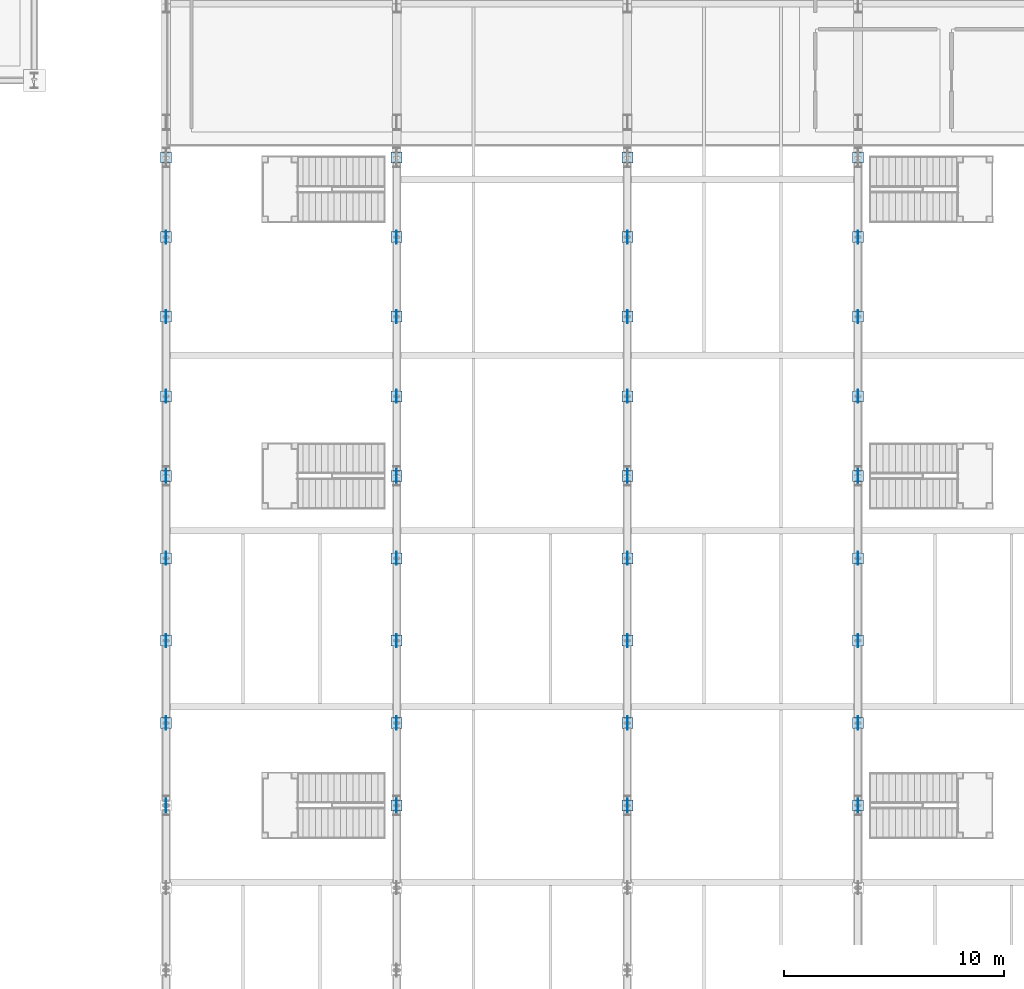
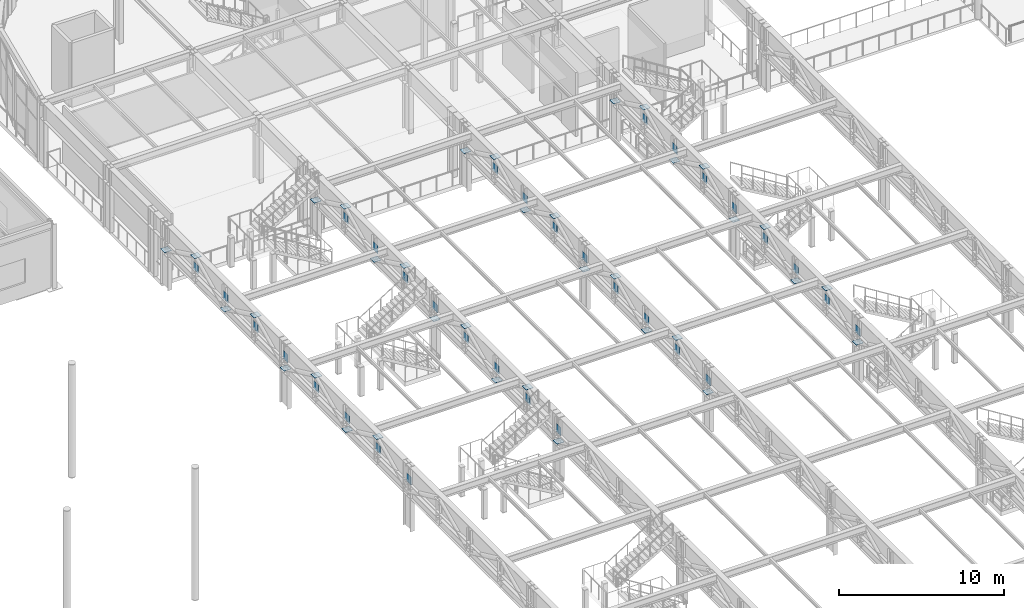
# One storey, part 79 of 143: 67 plates.
"""IFC4 building model written with IfcOpenShell, lengths in metres."""

from ifc_helpers import new_model, si_unit, direction, frame, origin, origin_2d, place, context, subcontext, project, spatial, rectangle, extrude, material, layer, layer_set, type_object, element, save


model = new_model("IFC4")

# Units and contexts
model_context = context("Model", 3, precision=1e-05, world=origin(), true_north=direction((0.0, 1.0)))
body_context = subcontext(model_context, "Body", "Model", "MODEL_VIEW")
ifc_project = project(units=[si_unit("LENGTHUNIT", "METRE"), si_unit("AREAUNIT", "SQUARE_METRE"), si_unit("VOLUMEUNIT", "CUBIC_METRE"), si_unit("PLANEANGLEUNIT", "RADIAN"), si_unit("MASSUNIT", "GRAM", prefix="KILO")], contexts=[model_context])

# Site, building, storey
site_placement = place(None, origin())
site = spatial("IfcSite", under=ifc_project, at=site_placement, CompositionType="ELEMENT")
building_placement = place(site_placement, origin())
building = spatial("IfcBuilding", under=site, at=building_placement, Name="Marlcrest Central Station", CompositionType="ELEMENT")
storey_placement = place(building_placement, frame((0.0, 0.0, 4.800048828125)))
storey = spatial("IfcBuildingStorey", under=building, at=storey_placement, Name="L01", CompositionType="ELEMENT", Elevation=4.800048828125)

# Plates
ifc_material = material(Name="Steel S355", Category="steel")
ifc_layer_1 = layer(ifc_material, 0.02392578125, Name="GP-01")
ifc_layer_set_1 = layer_set([ifc_layer_1], Name="Steel S355")
plate_type_1 = type_object("IfcPlateType", Name="GP-01", PredefinedType="USERDEFINED", material=ifc_layer_set_1)
for number, where, z_axis, x_axis, name in (
    (1, (87.0, 66.0, 3.31982421875), (0.0, 0.0, 1.0), (1.0, 0.0, 0.0), "plt-truss-01067"),
    (2, (87.0, 69.75, 3.31982421875), (0.0, 0.0, 1.0), (1.0, 0.0, 0.0), "plt-truss-01069"),
    (3, (87.0, 73.5, 3.31982421875), (0.0, 0.0, 1.0), (1.0, 0.0, 0.0), "plt-truss-01071"),
    (4, (87.0, 77.25, 3.31982421875), (0.0, 0.0, 1.0), (1.0, 0.0, 0.0), "plt-truss-01073"),
    (5, (87.0, 81.0, 3.31982421875), (0.0, 0.0, 1.0), (1.0, 0.0, 0.0), "plt-truss-01075"),
    (6, (87.0, 84.625, 3.31982421875), (0.0, 0.0, 1.0), (1.0, 0.0, 0.0), "plt-truss-01077"),
    (7, (87.0, 88.25, 3.31982421875), (0.0, 0.0, 1.0), (1.0, 0.0, 0.0), "plt-truss-01079"),
    (8, (87.0, 91.875, 3.31982421875), (0.0, 0.0, 1.0), (1.0, 0.0, 0.0), "plt-truss-01081"),
    (9, (97.5, 66.0, 3.31982421875), (0.0, 0.0, 1.0), (1.0, 0.0, 0.0), "plt-truss-01100"),
    (10, (97.5, 69.75, 3.31982421875), (0.0, 0.0, 1.0), (1.0, 0.0, 0.0), "plt-truss-01102"),
    (11, (97.5, 73.5, 3.31982421875), (0.0, 0.0, 1.0), (1.0, 0.0, 0.0), "plt-truss-01104"),
    (12, (97.5, 77.25, 3.31982421875), (0.0, 0.0, 1.0), (1.0, 0.0, 0.0), "plt-truss-01106"),
    (13, (97.5, 81.0, 3.31982421875), (0.0, 0.0, 1.0), (1.0, 0.0, 0.0), "plt-truss-01108"),
    (14, (97.5, 84.625, 3.31982421875), (0.0, 0.0, 1.0), (1.0, 0.0, 0.0), "plt-truss-01110"),
    (15, (97.5, 88.25, 3.31982421875), (0.0, 0.0, 1.0), (1.0, 0.0, 0.0), "plt-truss-01112"),
    (16, (97.5, 91.875, 3.31982421875), (0.0, 0.0, 1.0), (1.0, 0.0, 0.0), "plt-truss-01114"),
    (17, (108.0, 66.0, 3.31982421875), (0.0, 0.0, 1.0), (1.0, 0.0, 0.0), "plt-truss-01133"),
    (18, (108.0, 69.75, 3.31982421875), (0.0, 0.0, 1.0), (1.0, 0.0, 0.0), "plt-truss-01135"),
    (19, (108.0, 73.5, 3.31982421875), (0.0, 0.0, 1.0), (1.0, 0.0, 0.0), "plt-truss-01137"),
    (20, (108.0, 77.25, 3.31982421875), (0.0, 0.0, 1.0), (1.0, 0.0, 0.0), "plt-truss-01139"),
    (21, (108.0, 81.0, 3.31982421875), (0.0, 0.0, 1.0), (1.0, 0.0, 0.0), "plt-truss-01141"),
    (22, (108.0, 84.625, 3.31982421875), (0.0, 0.0, 1.0), (1.0, 0.0, 0.0), "plt-truss-01143"),
    (23, (108.0, 88.25, 3.31982421875), (0.0, 0.0, 1.0), (1.0, 0.0, 0.0), "plt-truss-01145"),
    (24, (108.0, 91.875, 3.31982421875), (0.0, 0.0, 1.0), (1.0, 0.0, 0.0), "plt-truss-01147"),
    (25, (118.5, 66.0, 3.31982421875), (0.0, 0.0, 1.0), (1.0, 0.0, 0.0), "plt-truss-01166"),
    (26, (118.5, 69.75, 3.31982421875), (0.0, 0.0, 1.0), (1.0, 0.0, 0.0), "plt-truss-01168"),
    (27, (118.5, 73.5, 3.31982421875), (0.0, 0.0, 1.0), (1.0, 0.0, 0.0), "plt-truss-01170"),
    (28, (118.5, 77.25, 3.31982421875), (0.0, 0.0, 1.0), (1.0, 0.0, 0.0), "plt-truss-01172"),
    (29, (118.5, 81.0, 3.31982421875), (0.0, 0.0, 1.0), (1.0, 0.0, 0.0), "plt-truss-01174"),
    (30, (118.5, 84.625, 3.31982421875), (0.0, 0.0, 1.0), (1.0, 0.0, 0.0), "plt-truss-01176"),
    (31, (118.5, 88.25, 3.31982421875), (0.0, 0.0, 1.0), (1.0, 0.0, 0.0), "plt-truss-01178"),
    (32, (118.5, 91.875, 3.31982421875), (0.0, 0.0, 1.0), (1.0, 0.0, 0.0), "plt-truss-01180"),
):
    element("IfcPlate", number, at=place(storey_placement, frame(where, z_axis=z_axis, x_axis=x_axis)), inside=storey, type_object=plate_type_1, Name=name, ObjectType="GUSSET_PLATE", PredefinedType="USERDEFINED", context=body_context, shape_type="SweptSolid", body=[
        extrude(rectangle(XDim=0.02392578125, YDim=0.60009765625, at=origin_2d()), origin(), (0.0, 0.0, 1.0), 0.60009765625),
    ])
ifc_layer_2 = layer(ifc_material, 0.02001953125, Name="GP-03")
ifc_layer_set_2 = layer_set([ifc_layer_2], Name="Steel S355")
plate_type_2 = type_object("IfcPlateType", Name="GP-03", PredefinedType="USERDEFINED", material=ifc_layer_set_2)
for number, where, z_axis, x_axis, name in (
    (33, (87.0, 69.75, 4.48486328125), (0.0, 0.0, 1.0), (1.0, 0.0, 0.0), "plt-cap-01066"),
    (34, (87.0, 73.5, 2.73486328125), (0.0, 0.0, 1.0), (1.0, 0.0, 0.0), "plt-cap-01068"),
    (35, (87.0, 77.25, 4.48486328125), (0.0, 0.0, 1.0), (1.0, 0.0, 0.0), "plt-cap-01070"),
    (36, (87.0, 81.0, 2.73486328125), (0.0, 0.0, 1.0), (1.0, 0.0, 0.0), "plt-cap-01072"),
    (37, (87.0, 84.625, 4.48486328125), (0.0, 0.0, 1.0), (1.0, 0.0, 0.0), "plt-cap-01074"),
    (38, (87.0, 88.25, 2.73486328125), (0.0, 0.0, 1.0), (1.0, 0.0, 0.0), "plt-cap-01076"),
    (39, (87.0, 91.875, 4.48486328125), (0.0, 0.0, 1.0), (1.0, 0.0, 0.0), "plt-cap-01078"),
    (40, (87.0, 95.5, 2.73486328125), (0.0, 0.0, 1.0), (1.0, 0.0, 0.0), "plt-cap-01080"),
    (41, (97.5, 66.0, 2.73486328125), (0.0, 0.0, 1.0), (1.0, 0.0, 0.0), "plt-cap-01097"),
    (42, (97.5, 69.75, 4.48486328125), (0.0, 0.0, 1.0), (1.0, 0.0, 0.0), "plt-cap-01099"),
    (43, (97.5, 73.5, 2.73486328125), (0.0, 0.0, 1.0), (1.0, 0.0, 0.0), "plt-cap-01101"),
    (44, (97.5, 77.25, 4.48486328125), (0.0, 0.0, 1.0), (1.0, 0.0, 0.0), "plt-cap-01103"),
    (45, (97.5, 81.0, 2.73486328125), (0.0, 0.0, 1.0), (1.0, 0.0, 0.0), "plt-cap-01105"),
    (46, (97.5, 84.625, 4.48486328125), (0.0, 0.0, 1.0), (1.0, 0.0, 0.0), "plt-cap-01107"),
    (47, (97.5, 88.25, 2.73486328125), (0.0, 0.0, 1.0), (1.0, 0.0, 0.0), "plt-cap-01109"),
    (48, (97.5, 91.875, 4.48486328125), (0.0, 0.0, 1.0), (1.0, 0.0, 0.0), "plt-cap-01111"),
    (49, (97.5, 95.5, 2.73486328125), (0.0, 0.0, 1.0), (1.0, 0.0, 0.0), "plt-cap-01113"),
    (50, (108.0, 66.0, 2.73486328125), (0.0, 0.0, 1.0), (1.0, 0.0, 0.0), "plt-cap-01130"),
    (51, (108.0, 69.75, 4.48486328125), (0.0, 0.0, 1.0), (1.0, 0.0, 0.0), "plt-cap-01132"),
    (52, (108.0, 73.5, 2.73486328125), (0.0, 0.0, 1.0), (1.0, 0.0, 0.0), "plt-cap-01134"),
    (53, (108.0, 77.25, 4.48486328125), (0.0, 0.0, 1.0), (1.0, 0.0, 0.0), "plt-cap-01136"),
    (54, (108.0, 81.0, 2.73486328125), (0.0, 0.0, 1.0), (1.0, 0.0, 0.0), "plt-cap-01138"),
    (55, (108.0, 84.625, 4.48486328125), (0.0, 0.0, 1.0), (1.0, 0.0, 0.0), "plt-cap-01140"),
    (56, (108.0, 88.25, 2.73486328125), (0.0, 0.0, 1.0), (1.0, 0.0, 0.0), "plt-cap-01142"),
    (57, (108.0, 91.875, 4.48486328125), (0.0, 0.0, 1.0), (1.0, 0.0, 0.0), "plt-cap-01144"),
    (58, (108.0, 95.5, 2.73486328125), (0.0, 0.0, 1.0), (1.0, 0.0, 0.0), "plt-cap-01146"),
    (59, (118.5, 66.0, 2.73486328125), (0.0, 0.0, 1.0), (1.0, 0.0, 0.0), "plt-cap-01163"),
    (60, (118.5, 69.75, 4.48486328125), (0.0, 0.0, 1.0), (1.0, 0.0, 0.0), "plt-cap-01165"),
    (61, (118.5, 73.5, 2.73486328125), (0.0, 0.0, 1.0), (1.0, 0.0, 0.0), "plt-cap-01167"),
    (62, (118.5, 77.25, 4.48486328125), (0.0, 0.0, 1.0), (1.0, 0.0, 0.0), "plt-cap-01169"),
    (63, (118.5, 81.0, 2.73486328125), (0.0, 0.0, 1.0), (1.0, 0.0, 0.0), "plt-cap-01171"),
    (64, (118.5, 84.625, 4.48486328125), (0.0, 0.0, 1.0), (1.0, 0.0, 0.0), "plt-cap-01173"),
    (65, (118.5, 88.25, 2.73486328125), (0.0, 0.0, 1.0), (1.0, 0.0, 0.0), "plt-cap-01175"),
    (66, (118.5, 91.875, 4.48486328125), (0.0, 0.0, 1.0), (1.0, 0.0, 0.0), "plt-cap-01177"),
    (67, (118.5, 95.5, 2.73486328125), (0.0, 0.0, 1.0), (1.0, 0.0, 0.0), "plt-cap-01179"),
):
    element("IfcPlate", number, at=place(storey_placement, frame(where, z_axis=z_axis, x_axis=x_axis)), inside=storey, type_object=plate_type_2, Name=name, ObjectType="GUSSET_PLATE", PredefinedType="USERDEFINED", context=body_context, shape_type="SweptSolid", body=[
        extrude(rectangle(XDim=0.5, YDim=0.5, at=origin_2d()), origin(), (0.0, 0.0, 1.0), 0.02001953125),
    ])

save(model, "model.ifc")
